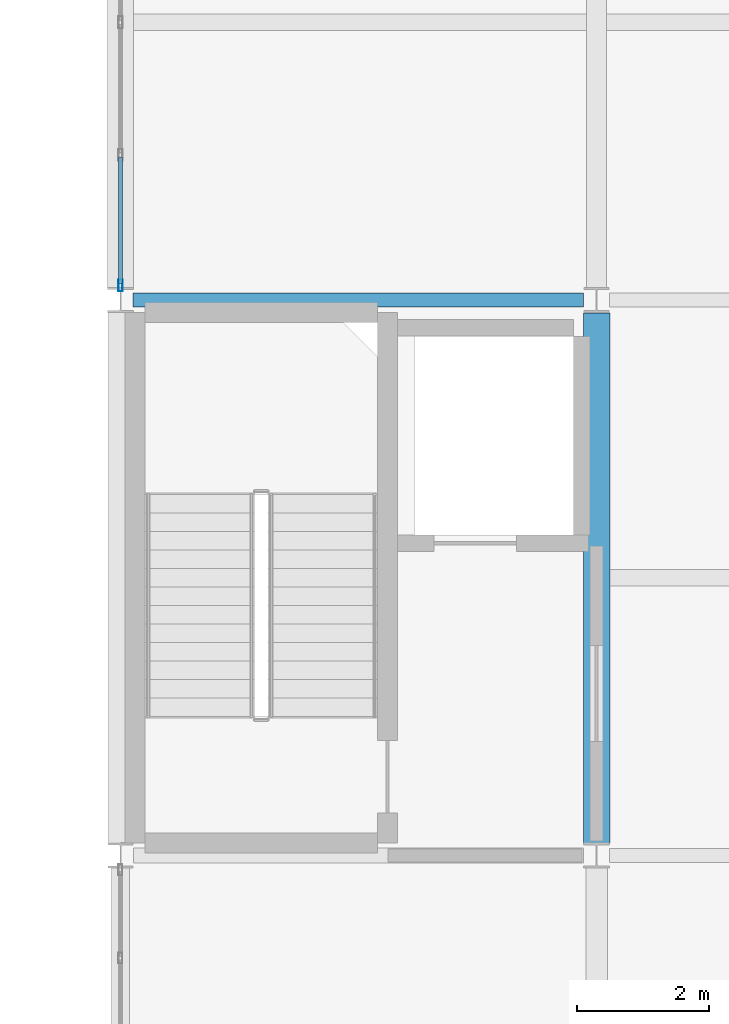
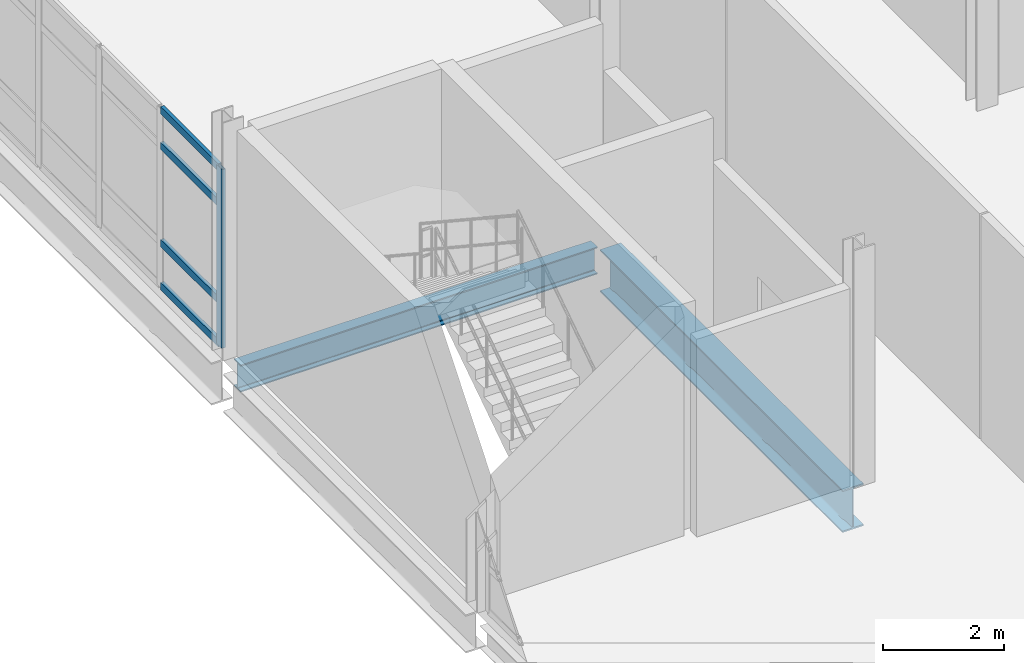
# One storey, part 43 of 153: 5 members, 2 beams, 1 element without a shape of its own.
"""IFC4 building model written with IfcOpenShell, lengths in metres."""

from ifc_helpers import new_model, si_unit, direction, frame, origin, origin_2d, place, context, subcontext, project, spatial, hollow_rectangle, i_section, extrude, material, layer, layer_set, material_profile, profile_set, type_object, element, aggregate, save


model = new_model("IFC4")

# Units and contexts
model_context = context("Model", 3, precision=1e-05, world=origin(), true_north=direction((0.0, 1.0)))
body_context = subcontext(model_context, "Body", "Model", "MODEL_VIEW")
ifc_project = project(units=[si_unit("LENGTHUNIT", "METRE"), si_unit("AREAUNIT", "SQUARE_METRE"), si_unit("VOLUMEUNIT", "CUBIC_METRE"), si_unit("PLANEANGLEUNIT", "RADIAN"), si_unit("MASSUNIT", "GRAM", prefix="KILO")], contexts=[model_context])

# Site, building, storey
site_placement = place(None, origin())
site = spatial("IfcSite", under=ifc_project, at=site_placement, CompositionType="ELEMENT")
building_placement = place(site_placement, origin())
building = spatial("IfcBuilding", under=site, at=building_placement, Name="Calvrana Isthmian Art Gallery", CompositionType="ELEMENT")
storey_placement = place(building_placement, frame((0.0, 0.0, 10.199951171875)))
storey = spatial("IfcBuildingStorey", under=building, at=storey_placement, Name="L02", CompositionType="ELEMENT", Elevation=10.199951171875)

# Beams
ifc_material_1 = material(Name="Steel ASTM A992 Gr 50", Category="steel")
ifc_material_profile_1 = material_profile(ifc_material_1, i_section(OverallWidth=0.214111328125, OverallDepth=0.549072265625, WebThickness=0.0146484375, FlangeThickness=0.023681640625, FilletRadius=0.02099609375, at=origin_2d()), Name="W21X93")
ifc_profile_set_1 = profile_set([ifc_material_profile_1], Name="Steel ASTM A992 Gr 50")
beam_type_1 = type_object("IfcBeamType", Name="BM-G-W21X93", PredefinedType="BEAM", material=ifc_profile_set_1)
beam_1_placement = place(storey_placement, frame((112.986572265625, 30.0, -0.53955078125), z_axis=(1.0, 0.0, 0.0), x_axis=(0.0, 1.0, 0.0)))
element("IfcBeam", 1, at=beam_1_placement, inside=storey, type_object=beam_type_1, Name="Girder X L02 15-16/E", PredefinedType="BEAM", context=body_context, shape_type="SweptSolid", body=[
    extrude(i_section(OverallWidth=0.214111328125, OverallDepth=0.549072265625, WebThickness=0.0146484375, FlangeThickness=0.023681640625, FilletRadius=0.02099609375, at=origin_2d()), origin(), (0.0, 0.0, 1.0), 6.81396484375),
])
ifc_material_profile_2 = material_profile(ifc_material_1, i_section(OverallWidth=0.40087890625, OverallDepth=0.85595703125, WebThickness=0.018310546875, FlangeThickness=0.029296875, FilletRadius=0.02587890625, at=origin_2d()), Name="W33X201")
ifc_profile_set_2 = profile_set([ifc_material_profile_2], Name="Steel ASTM A992 Gr 50")
beam_type_2 = type_object("IfcBeamType", Name="BM-G-W33X201", PredefinedType="BEAM", material=ifc_profile_set_2)
beam_2_placement = place(storey_placement, frame((120.0, 21.79052734375, -0.69287109375), z_axis=(0.0, 1.0, 0.0), x_axis=(-1.0, 0.0, 0.0)))
element("IfcBeam", 2, at=beam_2_placement, inside=storey, type_object=beam_type_2, Name="Girder Y L02 16/D-E", PredefinedType="BEAM", context=body_context, shape_type="SweptSolid", body=[
    extrude(i_section(OverallWidth=0.40087890625, OverallDepth=0.85595703125, WebThickness=0.018310546875, FlangeThickness=0.029296875, FilletRadius=0.02587890625, at=origin_2d()), origin(), (0.0, 0.0, 1.0), 8.016357421875),
])

# Curtain wall, members
ifc_material_2 = material(Name="Anodized bronze aluminium 6063-T6", Category="aluminium")
ifc_layer = layer(ifc_material_2, 0.179931640625, Name="Anodized bronze aluminium 6063-T6")
ifc_layer_set = layer_set([ifc_layer], Name="Anodized bronze aluminium 6063-T6")
curtain_wall_type = type_object("IfcCurtainWallType", Name="CW-UNIT-080X36", PredefinedType="USERDEFINED", material=ifc_layer_set)
curtain_wall_placement = place(storey_placement, origin())
curtain_wall = element("IfcCurtainWall", 3, at=curtain_wall_placement, inside=storey, type_object=curtain_wall_type, Name="Curtain wall CW-182", ObjectType="UNITISED CURTAIN WALL", PredefinedType="USERDEFINED")
ifc_material_profile_3 = material_profile(ifc_material_2, hollow_rectangle(XDim=0.06494140625, YDim=0.179931640625, WallThickness=0.00439453125, at=origin_2d()), Name="CWM65X180")
ifc_profile_set_3 = profile_set([ifc_material_profile_3], Name="Anodized bronze aluminium 6063-T6")
member_type_1 = type_object("IfcMemberType", Name="CWM-CWM65X180", PredefinedType="MULLION", material=ifc_profile_set_3)
member_1_placement = place(storey_placement, frame((112.800048828125, 30.220458984375, 0.0), z_axis=(0.0, 0.0, 1.0), x_axis=(-1.0, 0.0, 0.0)))
member_1 = element("IfcMember", 4, at=member_1_placement, type_object=member_type_1, Name="CW-182 mullion 1", PredefinedType="MULLION", context=body_context, shape_type="SweptSolid", body=[
    extrude(hollow_rectangle(XDim=0.06494140625, YDim=0.179931640625, WallThickness=0.00439453125, at=origin_2d()), origin(), (0.0, 0.0, 1.0), 3.613037109375),
])
ifc_material_profile_4 = material_profile(ifc_material_2, hollow_rectangle(XDim=0.06494140625, YDim=0.14990234375, WallThickness=0.00390625, at=origin_2d()), Name="CWT65X150")
ifc_profile_set_4 = profile_set([ifc_material_profile_4], Name="Anodized bronze aluminium 6063-T6")
member_type_2 = type_object("IfcMemberType", Name="CWT-CWT65X150", PredefinedType="USERDEFINED", material=ifc_profile_set_4)
member_2_placement = place(storey_placement, frame((112.800048828125, 30.2529296875, 0.032470703125), z_axis=(0.0, 1.0, 0.0), x_axis=(-1.0, 0.0, 0.0)))
member_2 = element("IfcMember", 5, at=member_2_placement, type_object=member_type_2, Name="CW-182 transom 1.1", ObjectType="TRANSOM", PredefinedType="USERDEFINED", context=body_context, shape_type="SweptSolid", body=[
    extrude(hollow_rectangle(XDim=0.06494140625, YDim=0.14990234375, WallThickness=0.00390625, at=origin_2d()), origin(), (0.0, 0.0, 1.0), 1.907958984375),
])
member_3_placement = place(storey_placement, frame((112.800048828125, 30.2529296875, 0.900146484375), z_axis=(0.0, 1.0, 0.0), x_axis=(-1.0, 0.0, 0.0)))
member_3 = element("IfcMember", 6, at=member_3_placement, type_object=member_type_2, Name="CW-182 transom 1.2", ObjectType="TRANSOM", PredefinedType="USERDEFINED", context=body_context, shape_type="SweptSolid", body=[
    extrude(hollow_rectangle(XDim=0.06494140625, YDim=0.14990234375, WallThickness=0.00390625, at=origin_2d()), origin(), (0.0, 0.0, 1.0), 1.907958984375),
])
member_4_placement = place(storey_placement, frame((112.800048828125, 30.2529296875, 2.863037109375), z_axis=(0.0, 1.0, 0.0), x_axis=(-1.0, 0.0, 0.0)))
member_4 = element("IfcMember", 7, at=member_4_placement, type_object=member_type_2, Name="CW-182 transom 1.3", ObjectType="TRANSOM", PredefinedType="USERDEFINED", context=body_context, shape_type="SweptSolid", body=[
    extrude(hollow_rectangle(XDim=0.06494140625, YDim=0.14990234375, WallThickness=0.00390625, at=origin_2d()), origin(), (0.0, 0.0, 1.0), 1.907958984375),
])
member_5_placement = place(storey_placement, frame((112.800048828125, 30.2529296875, 3.58056640625), z_axis=(0.0, 1.0, 0.0), x_axis=(-1.0, 0.0, 0.0)))
member_5 = element("IfcMember", 8, at=member_5_placement, type_object=member_type_2, Name="CW-182 transom 1.4", ObjectType="TRANSOM", PredefinedType="USERDEFINED", context=body_context, shape_type="SweptSolid", body=[
    extrude(hollow_rectangle(XDim=0.06494140625, YDim=0.14990234375, WallThickness=0.00390625, at=origin_2d()), origin(), (0.0, 0.0, 1.0), 1.907958984375),
])
aggregate(curtain_wall, [member_1, member_2, member_3, member_4, member_5])

save(model, "model.ifc")
